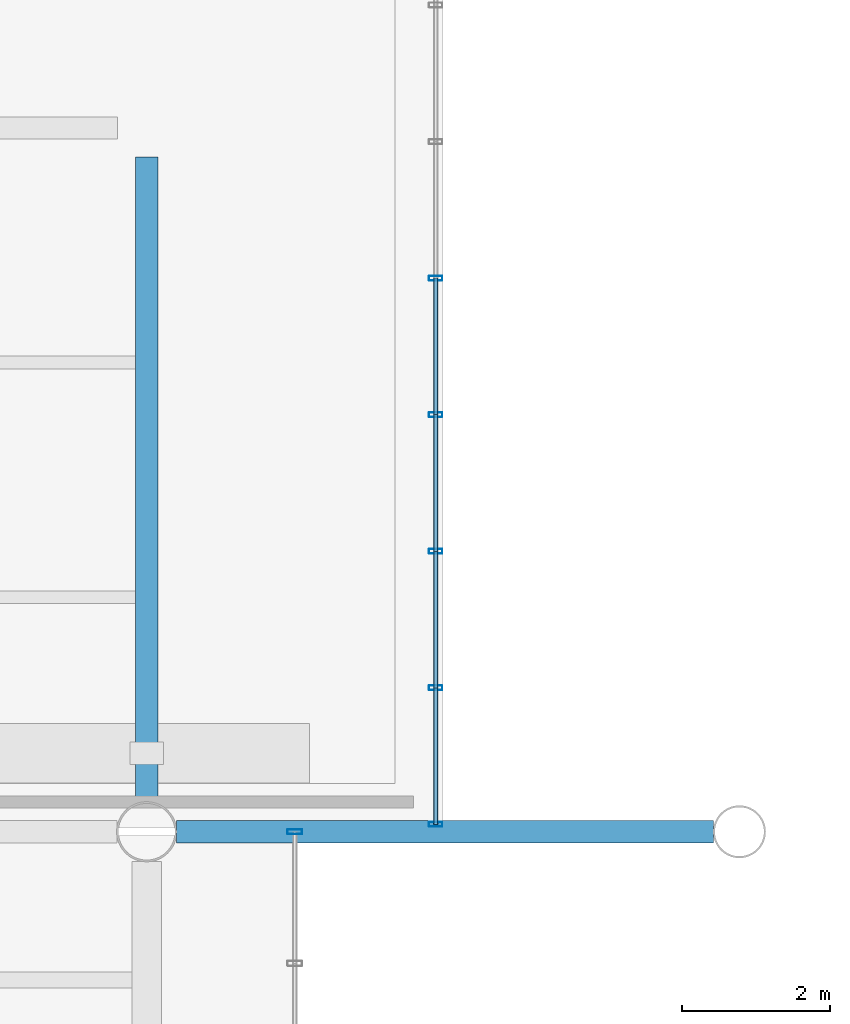
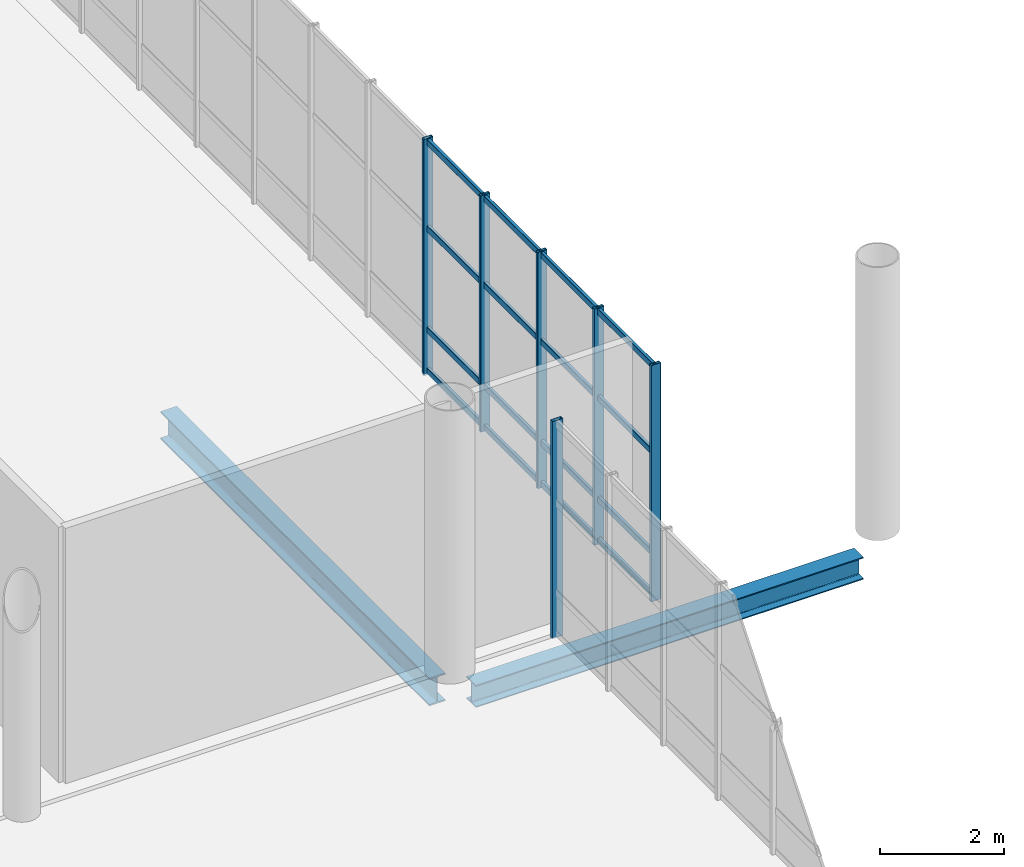
# One storey, part 92 of 176: 22 members, 2 beams, 2 elements without a shape of their own.
"""IFC4 building model written with IfcOpenShell, lengths in metres."""

from ifc_helpers import new_model, si_unit, direction, frame, origin, origin_2d, place, context, subcontext, project, spatial, hollow_rectangle, i_section, extrude, material, layer, layer_set, material_profile, profile_set, type_object, element, aggregate, save


model = new_model("IFC4")

# Units and contexts
model_context = context("Model", 3, precision=1e-05, world=origin(), true_north=direction((0.0, 1.0)))
body_context = subcontext(model_context, "Body", "Model", "MODEL_VIEW")
ifc_project = project(units=[si_unit("LENGTHUNIT", "METRE"), si_unit("AREAUNIT", "SQUARE_METRE"), si_unit("VOLUMEUNIT", "CUBIC_METRE"), si_unit("PLANEANGLEUNIT", "RADIAN"), si_unit("MASSUNIT", "GRAM", prefix="KILO")], contexts=[model_context])

# Site, building, storey
site_placement = place(None, origin())
site = spatial("IfcSite", under=ifc_project, at=site_placement, CompositionType="ELEMENT")
building_placement = place(site_placement, origin())
building = spatial("IfcBuilding", under=site, at=building_placement, Name="Khorjan Park Terminus", CompositionType="ELEMENT")
storey_placement = place(building_placement, frame((0.0, 0.0, 6.0)))
storey = spatial("IfcBuildingStorey", under=building, at=storey_placement, Name="L01", CompositionType="ELEMENT", Elevation=6.0)

# Beams
ifc_material_1 = material(Name="Steel S355", Category="steel")
ifc_material_profile_1 = material_profile(ifc_material_1, i_section(OverallWidth=0.3, OverallDepth=0.44, WebThickness=0.0115, FlangeThickness=0.021, FilletRadius=0.027, at=origin_2d()), Name="HEA 450")
ifc_profile_set_1 = profile_set([ifc_material_profile_1], Name="Steel S355")
beam_type_1 = type_object("IfcBeamType", Name="BM-HEA450", PredefinedType="BEAM", material=ifc_profile_set_1)
beam_1_placement = place(storey_placement, frame((128.4015, 102.0, -0.58), z_axis=(1.0, 0.0, 0.0), x_axis=(0.0, 1.0, 0.0)))
element("IfcBeam", 1, at=beam_1_placement, inside=storey, type_object=beam_type_1, Name="Primary floor girder SB-A45 (L01)", PredefinedType="BEAM", context=body_context, shape_type="SweptSolid", body=[
    extrude(i_section(OverallWidth=0.3, OverallDepth=0.44, WebThickness=0.0115, FlangeThickness=0.021, FilletRadius=0.027, at=origin_2d()), origin(), (0.0, 0.0, 1.0), 7.248),
])
ifc_material_profile_2 = material_profile(ifc_material_1, i_section(OverallWidth=0.3, OverallDepth=0.55, WebThickness=0.015, FlangeThickness=0.029, FilletRadius=0.027, at=origin_2d()), Name="HEB 550")
ifc_profile_set_2 = profile_set([ifc_material_profile_2], Name="Steel S355")
beam_type_2 = type_object("IfcBeamType", Name="BM-HEB550", PredefinedType="BEAM", material=ifc_profile_set_2)
beam_2_placement = place(storey_placement, frame((128.0, 102.4015, -0.635), z_axis=(0.0, 1.0, 0.0), x_axis=(-1.0, 0.0, 0.0)))
element("IfcBeam", 2, at=beam_2_placement, inside=storey, type_object=beam_type_2, Name="Primary floor girder SB-B55 (L01)", PredefinedType="BEAM", context=body_context, shape_type="SweptSolid", body=[
    extrude(i_section(OverallWidth=0.3, OverallDepth=0.55, WebThickness=0.015, FlangeThickness=0.029, FilletRadius=0.027, at=origin_2d()), origin(), (0.0, 0.0, 1.0), 8.7035),
])

# Curtain wall, members
ifc_material_2 = material(Name="Anodized Bronze Aluminium", Category="aluminium")
ifc_layer = layer(ifc_material_2, 0.22)
ifc_layer_set = layer_set([ifc_layer], Name="Anodized Bronze Aluminium")
curtain_wall_type = type_object("IfcCurtainWallType", Name="CW-BRG-D", PredefinedType="NOTDEFINED", material=ifc_layer_set)
curtain_wall_1_placement = place(storey_placement, origin())
curtain_wall_1 = element("IfcCurtainWall", 3, at=curtain_wall_1_placement, inside=storey, type_object=curtain_wall_type, Name="Unitized curtain wall CW-D (CW-BRE-E-1)", PredefinedType="NOTDEFINED")
ifc_material_profile_3 = material_profile(ifc_material_2, hollow_rectangle(XDim=0.065, YDim=0.18, WallThickness=0.004, InnerFilletRadius=0.004, OuterFilletRadius=0.008, at=origin_2d()), Name="ALM 65x180x4")
ifc_profile_set_3 = profile_set([ifc_material_profile_3], Name="Anodized Bronze Aluminium")
member_type_1 = type_object("IfcMemberType", Name="ML-ALM-180", PredefinedType="MULLION", material=ifc_profile_set_3)
member_1_placement = place(storey_placement, frame((131.9, 102.1, -0.035), z_axis=(0.0, 0.0, 1.0), x_axis=(0.0, 1.0, 0.0)))
member_1 = element("IfcMember", 4, at=member_1_placement, type_object=member_type_1, Name="Curtain-wall mullion ML-18 (CW-BRE-E-1-0)", PredefinedType="MULLION", context=body_context, shape_type="SweptSolid", body=[
    extrude(hollow_rectangle(XDim=0.065, YDim=0.18, WallThickness=0.004, InnerFilletRadius=0.004, OuterFilletRadius=0.008, at=origin_2d()), origin(), (0.0, 0.0, 1.0), 4.67),
])
member_2_placement = place(storey_placement, frame((131.9, 103.9429, -0.035), z_axis=(0.0, 0.0, 1.0), x_axis=(0.0, 1.0, 0.0)))
member_2 = element("IfcMember", 5, at=member_2_placement, type_object=member_type_1, Name="Curtain-wall mullion ML-18 (CW-BRE-E-1-1)", PredefinedType="MULLION", context=body_context, shape_type="SweptSolid", body=[
    extrude(hollow_rectangle(XDim=0.065, YDim=0.18, WallThickness=0.004, InnerFilletRadius=0.004, OuterFilletRadius=0.008, at=origin_2d()), origin(), (0.0, 0.0, 1.0), 4.67),
])
member_3_placement = place(storey_placement, frame((131.9, 105.7857, -0.035), z_axis=(0.0, 0.0, 1.0), x_axis=(0.0, 1.0, 0.0)))
member_3 = element("IfcMember", 6, at=member_3_placement, type_object=member_type_1, Name="Curtain-wall mullion ML-18 (CW-BRE-E-1-2)", PredefinedType="MULLION", context=body_context, shape_type="SweptSolid", body=[
    extrude(hollow_rectangle(XDim=0.065, YDim=0.18, WallThickness=0.004, InnerFilletRadius=0.004, OuterFilletRadius=0.008, at=origin_2d()), origin(), (0.0, 0.0, 1.0), 4.67),
])
member_4_placement = place(storey_placement, frame((131.9, 107.6286, -0.035), z_axis=(0.0, 0.0, 1.0), x_axis=(0.0, 1.0, 0.0)))
member_4 = element("IfcMember", 7, at=member_4_placement, type_object=member_type_1, Name="Curtain-wall mullion ML-18 (CW-BRE-E-1-3)", PredefinedType="MULLION", context=body_context, shape_type="SweptSolid", body=[
    extrude(hollow_rectangle(XDim=0.065, YDim=0.18, WallThickness=0.004, InnerFilletRadius=0.004, OuterFilletRadius=0.008, at=origin_2d()), origin(), (0.0, 0.0, 1.0), 4.67),
])
member_5_placement = place(storey_placement, frame((131.9, 109.4714, -0.035), z_axis=(0.0, 0.0, 1.0), x_axis=(0.0, 1.0, 0.0)))
member_5 = element("IfcMember", 8, at=member_5_placement, type_object=member_type_1, Name="Curtain-wall mullion ML-18 (CW-BRE-E-1-4)", PredefinedType="MULLION", context=body_context, shape_type="SweptSolid", body=[
    extrude(hollow_rectangle(XDim=0.065, YDim=0.18, WallThickness=0.004, InnerFilletRadius=0.004, OuterFilletRadius=0.008, at=origin_2d()), origin(), (0.0, 0.0, 1.0), 4.67),
])

# Curtain wall, member
curtain_wall_2_placement = place(storey_placement, origin())
curtain_wall_2 = element("IfcCurtainWall", 9, at=curtain_wall_2_placement, inside=storey, type_object=curtain_wall_type, Name="Unitized curtain wall CW-D (CW-NKE-E-L01)", PredefinedType="NOTDEFINED")
ifc_material_profile_4 = material_profile(ifc_material_2, hollow_rectangle(XDim=0.07, YDim=0.2, WallThickness=0.005, InnerFilletRadius=0.005, OuterFilletRadius=0.01, at=origin_2d()), Name="ALM 70x200x5")
ifc_profile_set_4 = profile_set([ifc_material_profile_4], Name="Anodized Bronze Aluminium")
member_type_2 = type_object("IfcMemberType", Name="ML-ALM-200", PredefinedType="MULLION", material=ifc_profile_set_4)
member_6_placement = place(storey_placement, frame((130.0, 102.0, -0.035), z_axis=(0.0, 0.0, 1.0), x_axis=(0.0, 1.0, 0.0)))
member_6 = element("IfcMember", 10, at=member_6_placement, type_object=member_type_2, Name="Curtain-wall mullion ML-20 (CW-NKE-E-L01-9)", PredefinedType="MULLION", context=body_context, shape_type="SweptSolid", body=[
    extrude(hollow_rectangle(XDim=0.07, YDim=0.2, WallThickness=0.005, InnerFilletRadius=0.005, OuterFilletRadius=0.01, at=origin_2d()), origin(), (0.0, 0.0, 1.0), 4.295),
])
aggregate(curtain_wall_2, [member_6])

# Member
ifc_material_profile_5 = material_profile(ifc_material_2, hollow_rectangle(XDim=0.06, YDim=0.12, WallThickness=0.004, InnerFilletRadius=0.004, OuterFilletRadius=0.008, at=origin_2d()), Name="ALT 60x120x4")
ifc_profile_set_5 = profile_set([ifc_material_profile_5], Name="Anodized Bronze Aluminium")
member_type_3 = type_object("IfcMemberType", Name="TR-ALT-120", PredefinedType="USERDEFINED", material=ifc_profile_set_5)
member_7_placement = place(storey_placement, frame((131.9, 102.1, 0.04), z_axis=(0.0, 1.0, 0.0), x_axis=(-1.0, 0.0, 0.0)))
member_7 = element("IfcMember", 11, at=member_7_placement, type_object=member_type_3, Name="Curtain-wall transom TR-12 (CW-BRE-E-1-0-1)", ObjectType="TRANSOM", PredefinedType="USERDEFINED", context=body_context, shape_type="SweptSolid", body=[
    extrude(hollow_rectangle(XDim=0.06, YDim=0.12, WallThickness=0.004, InnerFilletRadius=0.004, OuterFilletRadius=0.008, at=origin_2d()), origin(), (0.0, 0.0, 1.0), 1.8429),
])

member_8_placement = place(storey_placement, frame((131.9, 102.1, 0.85), z_axis=(0.0, 1.0, 0.0), x_axis=(-1.0, 0.0, 0.0)))
member_8 = element("IfcMember", 12, at=member_8_placement, type_object=member_type_3, Name="Curtain-wall transom TR-12 (CW-BRE-E-1-0-2)", ObjectType="TRANSOM", PredefinedType="USERDEFINED", context=body_context, shape_type="SweptSolid", body=[
    extrude(hollow_rectangle(XDim=0.06, YDim=0.12, WallThickness=0.004, InnerFilletRadius=0.004, OuterFilletRadius=0.008, at=origin_2d()), origin(), (0.0, 0.0, 1.0), 1.8429),
])

member_9_placement = place(storey_placement, frame((131.9, 102.1, 2.852), z_axis=(0.0, 1.0, 0.0), x_axis=(-1.0, 0.0, 0.0)))
member_9 = element("IfcMember", 13, at=member_9_placement, type_object=member_type_3, Name="Curtain-wall transom TR-12 (CW-BRE-E-1-0-3)", ObjectType="TRANSOM", PredefinedType="USERDEFINED", context=body_context, shape_type="SweptSolid", body=[
    extrude(hollow_rectangle(XDim=0.06, YDim=0.12, WallThickness=0.004, InnerFilletRadius=0.004, OuterFilletRadius=0.008, at=origin_2d()), origin(), (0.0, 0.0, 1.0), 1.8429),
])

member_10_placement = place(storey_placement, frame((131.9, 102.1, 4.56), z_axis=(0.0, 1.0, 0.0), x_axis=(-1.0, 0.0, 0.0)))
member_10 = element("IfcMember", 14, at=member_10_placement, type_object=member_type_3, Name="Curtain-wall transom TR-12 (CW-BRE-E-1-0-4)", ObjectType="TRANSOM", PredefinedType="USERDEFINED", context=body_context, shape_type="SweptSolid", body=[
    extrude(hollow_rectangle(XDim=0.06, YDim=0.12, WallThickness=0.004, InnerFilletRadius=0.004, OuterFilletRadius=0.008, at=origin_2d()), origin(), (0.0, 0.0, 1.0), 1.8429),
])

member_11_placement = place(storey_placement, frame((131.9, 103.9429, 0.04), z_axis=(0.0, 1.0, 0.0), x_axis=(-1.0, 0.0, 0.0)))
member_11 = element("IfcMember", 15, at=member_11_placement, type_object=member_type_3, Name="Curtain-wall transom TR-12 (CW-BRE-E-1-1-1)", ObjectType="TRANSOM", PredefinedType="USERDEFINED", context=body_context, shape_type="SweptSolid", body=[
    extrude(hollow_rectangle(XDim=0.06, YDim=0.12, WallThickness=0.004, InnerFilletRadius=0.004, OuterFilletRadius=0.008, at=origin_2d()), origin(), (0.0, 0.0, 1.0), 1.8428),
])

member_12_placement = place(storey_placement, frame((131.9, 103.9429, 0.85), z_axis=(0.0, 1.0, 0.0), x_axis=(-1.0, 0.0, 0.0)))
member_12 = element("IfcMember", 16, at=member_12_placement, type_object=member_type_3, Name="Curtain-wall transom TR-12 (CW-BRE-E-1-1-2)", ObjectType="TRANSOM", PredefinedType="USERDEFINED", context=body_context, shape_type="SweptSolid", body=[
    extrude(hollow_rectangle(XDim=0.06, YDim=0.12, WallThickness=0.004, InnerFilletRadius=0.004, OuterFilletRadius=0.008, at=origin_2d()), origin(), (0.0, 0.0, 1.0), 1.8428),
])

member_13_placement = place(storey_placement, frame((131.9, 103.9429, 2.852), z_axis=(0.0, 1.0, 0.0), x_axis=(-1.0, 0.0, 0.0)))
member_13 = element("IfcMember", 17, at=member_13_placement, type_object=member_type_3, Name="Curtain-wall transom TR-12 (CW-BRE-E-1-1-3)", ObjectType="TRANSOM", PredefinedType="USERDEFINED", context=body_context, shape_type="SweptSolid", body=[
    extrude(hollow_rectangle(XDim=0.06, YDim=0.12, WallThickness=0.004, InnerFilletRadius=0.004, OuterFilletRadius=0.008, at=origin_2d()), origin(), (0.0, 0.0, 1.0), 1.8428),
])

member_14_placement = place(storey_placement, frame((131.9, 103.9429, 4.56), z_axis=(0.0, 1.0, 0.0), x_axis=(-1.0, 0.0, 0.0)))
member_14 = element("IfcMember", 18, at=member_14_placement, type_object=member_type_3, Name="Curtain-wall transom TR-12 (CW-BRE-E-1-1-4)", ObjectType="TRANSOM", PredefinedType="USERDEFINED", context=body_context, shape_type="SweptSolid", body=[
    extrude(hollow_rectangle(XDim=0.06, YDim=0.12, WallThickness=0.004, InnerFilletRadius=0.004, OuterFilletRadius=0.008, at=origin_2d()), origin(), (0.0, 0.0, 1.0), 1.8428),
])

member_15_placement = place(storey_placement, frame((131.9, 105.7857, 0.04), z_axis=(0.0, 1.0, 0.0), x_axis=(-1.0, 0.0, 0.0)))
member_15 = element("IfcMember", 19, at=member_15_placement, type_object=member_type_3, Name="Curtain-wall transom TR-12 (CW-BRE-E-1-2-1)", ObjectType="TRANSOM", PredefinedType="USERDEFINED", context=body_context, shape_type="SweptSolid", body=[
    extrude(hollow_rectangle(XDim=0.06, YDim=0.12, WallThickness=0.004, InnerFilletRadius=0.004, OuterFilletRadius=0.008, at=origin_2d()), origin(), (0.0, 0.0, 1.0), 1.8429),
])

member_16_placement = place(storey_placement, frame((131.9, 105.7857, 0.85), z_axis=(0.0, 1.0, 0.0), x_axis=(-1.0, 0.0, 0.0)))
member_16 = element("IfcMember", 20, at=member_16_placement, type_object=member_type_3, Name="Curtain-wall transom TR-12 (CW-BRE-E-1-2-2)", ObjectType="TRANSOM", PredefinedType="USERDEFINED", context=body_context, shape_type="SweptSolid", body=[
    extrude(hollow_rectangle(XDim=0.06, YDim=0.12, WallThickness=0.004, InnerFilletRadius=0.004, OuterFilletRadius=0.008, at=origin_2d()), origin(), (0.0, 0.0, 1.0), 1.8429),
])

member_17_placement = place(storey_placement, frame((131.9, 105.7857, 2.852), z_axis=(0.0, 1.0, 0.0), x_axis=(-1.0, 0.0, 0.0)))
member_17 = element("IfcMember", 21, at=member_17_placement, type_object=member_type_3, Name="Curtain-wall transom TR-12 (CW-BRE-E-1-2-3)", ObjectType="TRANSOM", PredefinedType="USERDEFINED", context=body_context, shape_type="SweptSolid", body=[
    extrude(hollow_rectangle(XDim=0.06, YDim=0.12, WallThickness=0.004, InnerFilletRadius=0.004, OuterFilletRadius=0.008, at=origin_2d()), origin(), (0.0, 0.0, 1.0), 1.8429),
])

member_18_placement = place(storey_placement, frame((131.9, 105.7857, 4.56), z_axis=(0.0, 1.0, 0.0), x_axis=(-1.0, 0.0, 0.0)))
member_18 = element("IfcMember", 22, at=member_18_placement, type_object=member_type_3, Name="Curtain-wall transom TR-12 (CW-BRE-E-1-2-4)", ObjectType="TRANSOM", PredefinedType="USERDEFINED", context=body_context, shape_type="SweptSolid", body=[
    extrude(hollow_rectangle(XDim=0.06, YDim=0.12, WallThickness=0.004, InnerFilletRadius=0.004, OuterFilletRadius=0.008, at=origin_2d()), origin(), (0.0, 0.0, 1.0), 1.8429),
])

member_19_placement = place(storey_placement, frame((131.9, 107.6286, 0.04), z_axis=(0.0, 1.0, 0.0), x_axis=(-1.0, 0.0, 0.0)))
member_19 = element("IfcMember", 23, at=member_19_placement, type_object=member_type_3, Name="Curtain-wall transom TR-12 (CW-BRE-E-1-3-1)", ObjectType="TRANSOM", PredefinedType="USERDEFINED", context=body_context, shape_type="SweptSolid", body=[
    extrude(hollow_rectangle(XDim=0.06, YDim=0.12, WallThickness=0.004, InnerFilletRadius=0.004, OuterFilletRadius=0.008, at=origin_2d()), origin(), (0.0, 0.0, 1.0), 1.8428),
])

member_20_placement = place(storey_placement, frame((131.9, 107.6286, 0.85), z_axis=(0.0, 1.0, 0.0), x_axis=(-1.0, 0.0, 0.0)))
member_20 = element("IfcMember", 24, at=member_20_placement, type_object=member_type_3, Name="Curtain-wall transom TR-12 (CW-BRE-E-1-3-2)", ObjectType="TRANSOM", PredefinedType="USERDEFINED", context=body_context, shape_type="SweptSolid", body=[
    extrude(hollow_rectangle(XDim=0.06, YDim=0.12, WallThickness=0.004, InnerFilletRadius=0.004, OuterFilletRadius=0.008, at=origin_2d()), origin(), (0.0, 0.0, 1.0), 1.8428),
])

member_21_placement = place(storey_placement, frame((131.9, 107.6286, 2.852), z_axis=(0.0, 1.0, 0.0), x_axis=(-1.0, 0.0, 0.0)))
member_21 = element("IfcMember", 25, at=member_21_placement, type_object=member_type_3, Name="Curtain-wall transom TR-12 (CW-BRE-E-1-3-3)", ObjectType="TRANSOM", PredefinedType="USERDEFINED", context=body_context, shape_type="SweptSolid", body=[
    extrude(hollow_rectangle(XDim=0.06, YDim=0.12, WallThickness=0.004, InnerFilletRadius=0.004, OuterFilletRadius=0.008, at=origin_2d()), origin(), (0.0, 0.0, 1.0), 1.8428),
])

member_22_placement = place(storey_placement, frame((131.9, 107.6286, 4.56), z_axis=(0.0, 1.0, 0.0), x_axis=(-1.0, 0.0, 0.0)))
member_22 = element("IfcMember", 26, at=member_22_placement, type_object=member_type_3, Name="Curtain-wall transom TR-12 (CW-BRE-E-1-3-4)", ObjectType="TRANSOM", PredefinedType="USERDEFINED", context=body_context, shape_type="SweptSolid", body=[
    extrude(hollow_rectangle(XDim=0.06, YDim=0.12, WallThickness=0.004, InnerFilletRadius=0.004, OuterFilletRadius=0.008, at=origin_2d()), origin(), (0.0, 0.0, 1.0), 1.8428),
])

aggregate(curtain_wall_1, [member_1, member_2, member_3, member_4, member_5, member_7, member_8, member_9, member_10, member_11, member_12, member_13, member_14, member_15, member_16, member_17, member_18, member_19, member_20, member_21, member_22])

save(model, "model.ifc")
